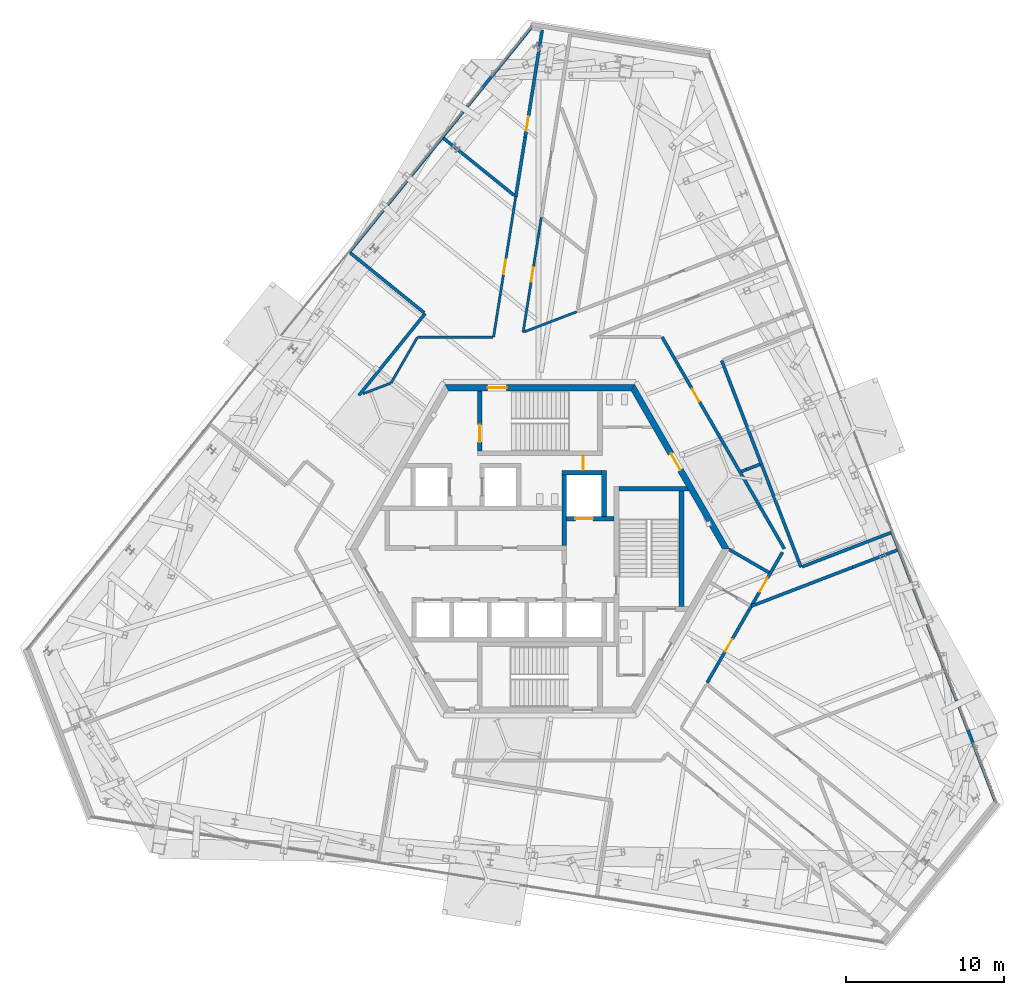
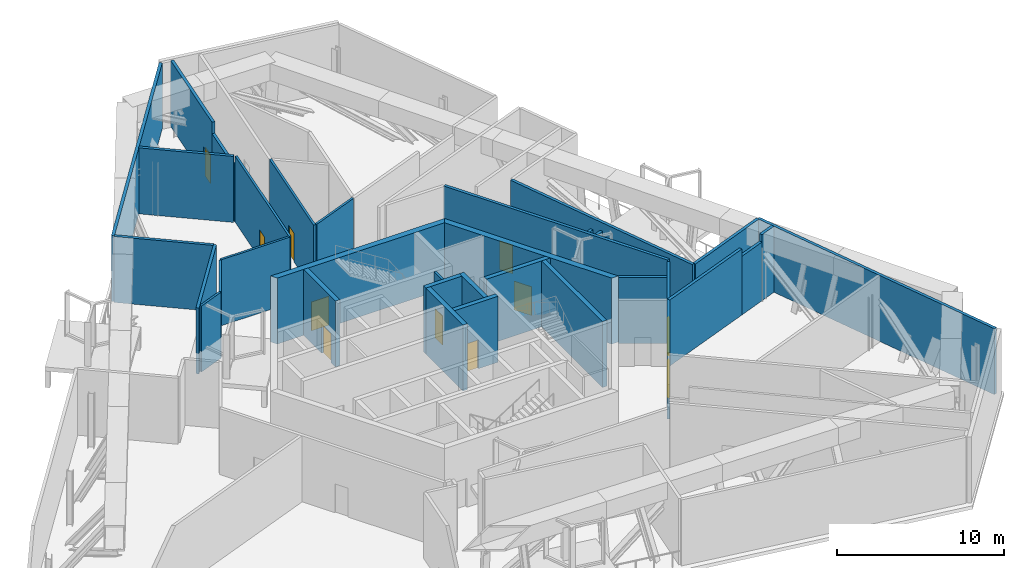
# One storey, part 10 of 14: 33 walls, 11 doors, 11 openings.
"""IFC4 building model written with IfcOpenShell, lengths in metres."""

from ifc_helpers import new_model, si_unit, direction, frame, frame_2d, origin, place, context, subcontext, project, spatial, polyline, rectangle, outline, extrude, source, transform, mapped, material, layer, layer_set, type_object, element, fill, save


model = new_model("IFC4")

# Units and contexts
model_context = context("Model", 3, precision=1e-05, world=origin(), true_north=direction((0.0, 1.0)))
body_context = subcontext(model_context, "Body", "Model", "MODEL_VIEW")
ifc_project = project(units=[si_unit("LENGTHUNIT", "METRE"), si_unit("AREAUNIT", "SQUARE_METRE"), si_unit("VOLUMEUNIT", "CUBIC_METRE"), si_unit("PLANEANGLEUNIT", "RADIAN"), si_unit("MASSUNIT", "GRAM", prefix="KILO")], contexts=[model_context])

# Site, building, storey
site_placement = place(None, origin())
site = spatial("IfcSite", under=ifc_project, at=site_placement, CompositionType="ELEMENT")
building_placement = place(site_placement, origin())
building = spatial("IfcBuilding", under=site, at=building_placement, Name="Triune Harvest Tower", CompositionType="ELEMENT")
storey_placement = place(building_placement, frame((0.0, 0.0, 174.925048828125)))
storey = spatial("IfcBuildingStorey", under=building, at=storey_placement, Name="L45", CompositionType="ELEMENT", Elevation=174.925048828125)

# Wall, opening, door
ifc_material_1 = material(Name="Concrete masonry unit", Category="masonry")
ifc_layer_1 = layer(ifc_material_1, 0.14990234375)
ifc_layer_set_1 = layer_set([ifc_layer_1], Name="Concrete masonry unit")
wall_type_1 = type_object("IfcWallType", Name="Block partition 150 unrated", PredefinedType="PARTITIONING", material=ifc_layer_set_1)
wall_1_placement = place(storey_placement, frame((2.75, 4.9599609375, 0.0), z_axis=(0.0, 0.0, 1.0), x_axis=(0.0, 1.0, 0.0)))
wall_1 = element("IfcWall", 1, at=wall_1_placement, inside=storey, type_object=wall_type_1, Name="Wc men east b wall", PredefinedType="PARTITIONING", context=body_context, shape_type="SweptSolid", body=[
    extrude(rectangle(XDim=0.929931640625, YDim=0.14990234375, at=frame_2d((0.46484375, 0.0))), origin(), (0.0, 0.0, 1.0), 4.81494140625),
])
opening_1_placement = place(wall_1_placement, frame((0.014892578125, 0.0, 0.0)))
opening_1 = element("IfcOpeningElement", 2, at=opening_1_placement, cuts=wall_1, Name="Opening CD-WM", PredefinedType="OPENING", context=body_context, shape_type="SweptSolid", body=[
    extrude(rectangle(XDim=0.89990234375, YDim=2.10009765625, at=frame_2d((0.449951171875, 1.050048828125))), frame((0.0, 0.0849609375, 0.0), z_axis=(0.0, -1.0, 0.0), x_axis=(1.0, 0.0, 0.0)), (0.0, 0.0, 1.0), 0.169921875),
])
ifc_material_2 = material(Name="Timber C24", Category="wood")
door_type_1 = type_object("IfcDoorType", Name="WC door 900", OperationType="SINGLE_SWING_LEFT", PredefinedType="DOOR", material=ifc_material_2)
door_1_placement = place(opening_1_placement, origin())
door_1 = element("IfcDoor", 3, at=door_1_placement, inside=storey, type_object=door_type_1, Name="Door CD-WM", OperationType="SINGLE_SWING_LEFT", OverallHeight=2.10009765625, OverallWidth=0.89990234375, PredefinedType="DOOR", context=body_context, shape_type="SweptSolid", body=[
    extrude(rectangle(XDim=0.89990234375, YDim=2.10009765625, at=frame_2d((0.449951171875, 1.050048828125))), frame((0.0, 0.02490234375, 0.0), z_axis=(0.0, -1.0, 0.0), x_axis=(1.0, 0.0, 0.0)), (0.0, 0.0, 1.0), 0.050048828125),
])
fill(opening_1, door_1)

# Walls
ifc_material_3 = material(Name="Concrete 70 MPa", Category="concrete")
ifc_layer_2 = layer(ifc_material_3, 0.300048828125)
ifc_layer_set_2 = layer_set([ifc_layer_2], Name="Concrete 70 MPa")
wall_type_2 = type_object("IfcWallType", Name="Core wall 300", PredefinedType="SHEAR", material=ifc_layer_set_2)
wall_2_placement = place(storey_placement, frame((1.550048828125, 0.2099609375, 0.0), z_axis=(0.0, 0.0, 1.0), x_axis=(0.0, 1.0, 0.0)))
element("IfcWall", 4, at=wall_2_placement, inside=storey, type_object=wall_type_2, Name="Ff1 west wall", PredefinedType="SHEAR", context=body_context, shape_type="SweptSolid", body=[
    extrude(rectangle(XDim=4.449951171875, YDim=0.300048828125, at=frame_2d((2.22509765625, 0.0))), origin(), (0.0, 0.0, 1.0), 4.81494140625),
])
wall_3_placement = place(storey_placement, frame((4.050048828125, 2.06005859375, 0.0), z_axis=(0.0, 0.0, 1.0), x_axis=(0.0, 1.0, 0.0)))
element("IfcWall", 5, at=wall_3_placement, inside=storey, type_object=wall_type_2, Name="Ff1 east wall", PredefinedType="SHEAR", context=body_context, shape_type="SweptSolid", body=[
    extrude(rectangle(XDim=2.89990234375, YDim=0.300048828125, at=frame_2d((1.449951171875, 0.0))), origin(), (0.0, 0.0, 1.0), 4.81494140625),
])
wall_4_placement = place(storey_placement, frame((5.0, 3.800048828125, 0.0), z_axis=(0.0, 0.0, 1.0), x_axis=(1.0, 0.0, 0.0)))
element("IfcWall", 6, at=wall_4_placement, inside=storey, type_object=wall_type_2, Name="Stair e north wall", PredefinedType="SHEAR", context=body_context, shape_type="SweptSolid", body=[
    extrude(outline(polyline([(0.0, -0.14990234375), (0.0, 0.14990234375), (4.260009765625, 0.14990234375), (4.43310546875, -0.14990234375), (0.0, -0.14990234375)])), origin(), (0.0, 0.0, 1.0), 4.81494140625),
])
wall_5_placement = place(storey_placement, frame((8.949951171875, -3.64990234375, 0.0), z_axis=(0.0, 0.0, 1.0), x_axis=(0.0, 1.0, 0.0)))
element("IfcWall", 7, at=wall_5_placement, inside=storey, type_object=wall_type_2, Name="Stair e east wall", PredefinedType="SHEAR", context=body_context, shape_type="SweptSolid", body=[
    extrude(rectangle(XDim=7.2998046875, YDim=0.300048828125, at=frame_2d((3.64990234375, 0.0))), origin(), (0.0, 0.0, 1.0), 4.81494140625),
])
ifc_material_4 = material(Name="Gypsum board on steel studs", Category="steel")
ifc_layer_3 = layer(ifc_material_4, 0.14990234375)
ifc_layer_set_3 = layer_set([ifc_layer_3], Name="Gypsum board on steel studs")
wall_type_3 = type_object("IfcWallType", Name="Fire Partition 150 mm", PredefinedType="PARTITIONING", material=ifc_layer_set_3)
wall_6_placement = place(storey_placement, frame((-7.732177734375, 13.392333984375, 0.0), z_axis=(0.0, 0.0, 1.0), x_axis=(1.0, 0.0, 0.0)))
element("IfcWall", 8, at=wall_6_placement, inside=storey, type_object=wall_type_3, Name="Partition L45 029", PredefinedType="PARTITIONING", context=body_context, shape_type="SweptSolid", body=[
    extrude(rectangle(XDim=4.753662109375, YDim=0.14990234375, at=frame_2d((2.376953125, 0.0))), origin(), (0.0, 0.0, 1.0), 4.81494140625),
])
wall_7_placement = place(storey_placement, frame((-11.169921875, 9.811279296875, 0.0), z_axis=(0.0, 0.0, 1.0), x_axis=(0.933575989222, 0.358379508828, 0.0)))
element("IfcWall", 9, at=wall_7_placement, inside=storey, type_object=wall_type_3, Name="Partition L45 039", PredefinedType="PARTITIONING", context=body_context, shape_type="SweptSolid", body=[
    extrude(rectangle(XDim=1.855712890625, YDim=0.14990234375, at=frame_2d((0.927734375, 0.0))), origin(), (0.0, 0.0, 1.0), 4.81494140625),
])
wall_8_placement = place(storey_placement, frame((-0.95556640625, 13.732177734375, 0.0), z_axis=(0.0, 0.0, 1.0), x_axis=(0.933594790277, 0.358330528378, 0.0)))
element("IfcWall", 10, at=wall_8_placement, inside=storey, type_object=wall_type_3, Name="Partition L45 040", PredefinedType="PARTITIONING", context=body_context, shape_type="SweptSolid", body=[
    extrude(rectangle(XDim=3.5068359375, YDim=0.14990234375, at=frame_2d((1.75341796875, 0.0))), origin(), (0.0, 0.0, 1.0), 4.81494140625),
])
wall_9_placement = place(storey_placement, frame((-9.409423828125, 10.487060546875, 0.0), z_axis=(0.0, 0.0, 1.0), x_axis=(0.499984641034, 0.866034271106, 0.0)))
element("IfcWall", 11, at=wall_9_placement, inside=storey, type_object=wall_type_3, Name="Partition L45 052", PredefinedType="PARTITIONING", context=body_context, shape_type="SweptSolid", body=[
    extrude(rectangle(XDim=3.3046875, YDim=0.14990234375, at=frame_2d((1.65234375, 0.0))), origin(), (0.0, 0.0, 1.0), 4.81494140625),
])

# Wall, opening, door
wall_10_placement = place(storey_placement, frame((-1.05859375, 13.692626953125, 0.0), z_axis=(0.0, 0.0, 1.0), x_axis=(0.156419210718, 0.987690756522, 0.0)))
wall_10 = element("IfcWall", 12, at=wall_10_placement, inside=storey, type_object=wall_type_3, Name="Partition L45 056", PredefinedType="PARTITIONING", context=body_context, shape_type="SweptSolid", body=[
    extrude(rectangle(XDim=7.357666015625, YDim=0.14990234375, at=frame_2d((3.6787109375, 0.0))), origin(), (0.0, 0.0, 1.0), 4.81494140625),
])
opening_2_placement = place(wall_10_placement, frame((3.25, 0.0, 0.0)))
opening_2 = element("IfcOpeningElement", 13, at=opening_2_placement, cuts=wall_10, Name="Opening L45-010", PredefinedType="OPENING", context=body_context, shape_type="SweptSolid", body=[
    extrude(rectangle(XDim=0.89990234375, YDim=2.10009765625, at=frame_2d((0.449951171875, 1.050048828125))), frame((0.0, 0.0849609375, 0.0), z_axis=(0.0, -1.0, 0.0), x_axis=(1.0, 0.0, 0.0)), (0.0, 0.0, 1.0), 0.169921875),
])
ifc_material_5 = material(Name="Timber and steel door set", Category="steel")
door_type_2 = type_object("IfcDoorType", Name="Single leaf door FD30 left hand 900 x 2100", OperationType="SINGLE_SWING_LEFT", PredefinedType="DOOR", material=ifc_material_5)
door_2_placement = place(opening_2_placement, origin())
door_2 = element("IfcDoor", 14, at=door_2_placement, inside=storey, type_object=door_type_2, Name="Door L45-010 Dry Store Room 45.10", OperationType="SINGLE_SWING_LEFT", OverallHeight=2.10009765625, OverallWidth=0.89990234375, PredefinedType="DOOR", context=body_context, shape_type="SweptSolid", body=[
    extrude(rectangle(XDim=0.89990234375, YDim=2.10009765625, at=frame_2d((0.449951171875, 1.050048828125))), frame((0.0, 0.02490234375, 0.0), z_axis=(0.0, -1.0, 0.0), x_axis=(1.0, 0.0, 0.0)), (0.0, 0.0, 1.0), 0.050048828125),
])
fill(opening_2, door_2)

wall_11_placement = place(storey_placement, frame((-2.9287109375, 13.392333984375, 0.0), z_axis=(0.0, 0.0, 1.0), x_axis=(0.156436904881, 0.987687954159, 0.0)))
wall_11 = element("IfcWall", 15, at=wall_11_placement, inside=storey, type_object=wall_type_3, Name="Partition L45 059", PredefinedType="PARTITIONING", context=body_context, shape_type="SweptSolid", body=[
    extrude(rectangle(XDim=8.986083984375, YDim=0.14990234375, at=frame_2d((4.4931640625, 0.0))), origin(), (0.0, 0.0, 1.0), 4.81494140625),
])
opening_3_placement = place(wall_11_placement, frame((4.03955078125, 0.0, 0.0)))
opening_3 = element("IfcOpeningElement", 16, at=opening_3_placement, cuts=wall_11, Name="Opening L45-009", PredefinedType="OPENING", context=body_context, shape_type="SweptSolid", body=[
    extrude(rectangle(XDim=0.89990234375, YDim=2.10009765625, at=frame_2d((0.449951171875, 1.050048828125))), frame((0.0, 0.0849609375, 0.0), z_axis=(0.0, -1.0, 0.0), x_axis=(1.0, 0.0, 0.0)), (0.0, 0.0, 1.0), 0.169921875),
])
door_3_placement = place(opening_3_placement, origin())
door_3 = element("IfcDoor", 17, at=door_3_placement, inside=storey, type_object=door_type_2, Name="Door L45-009 Dry Store Room 45.09", OperationType="SINGLE_SWING_LEFT", OverallHeight=2.10009765625, OverallWidth=0.89990234375, PredefinedType="DOOR", context=body_context, shape_type="SweptSolid", body=[
    extrude(rectangle(XDim=0.89990234375, YDim=2.10009765625, at=frame_2d((0.449951171875, 1.050048828125))), frame((0.0, 0.02490234375, 0.0), z_axis=(0.0, -1.0, 0.0), x_axis=(1.0, 0.0, 0.0)), (0.0, 0.0, 1.0), 0.050048828125),
])
fill(opening_3, door_3)

# Wall
ifc_material_6 = material(Name="Gypsum board on steel studs", Category="steel")
ifc_layer_4 = layer(ifc_material_6, 0.199951171875)
ifc_layer_set_4 = layer_set([ifc_layer_4], Name="Gypsum board on steel studs")
wall_type_4 = type_object("IfcWallType", Name="Fire Wall 200 mm", PredefinedType="PARTITIONING", material=ifc_layer_set_4)
wall_12_placement = place(storey_placement, frame((11.4951171875, 11.91064453125, 0.0), z_axis=(0.0, 0.0, 1.0), x_axis=(0.358365500732, -0.933581366505, 0.0)))
element("IfcWall", 18, at=wall_12_placement, inside=storey, type_object=wall_type_4, Name="Partition L45 004", PredefinedType="PARTITIONING", context=body_context, shape_type="SweptSolid", body=[
    extrude(rectangle(XDim=14.0, YDim=0.199951171875, at=frame_2d((7.0, 0.0))), origin(), (0.0, 0.0, 1.0), 4.81494140625),
])

# Wall, opening, door
wall_13_placement = place(storey_placement, frame((7.73193359375, 13.392578125, 0.0), z_axis=(0.0, 0.0, 1.0), x_axis=(0.499998503761, -0.866026267637, 0.0)))
wall_13 = element("IfcWall", 19, at=wall_13_placement, inside=storey, type_object=wall_type_4, Name="Partition L45 009", PredefinedType="PARTITIONING", context=body_context, shape_type="SweptSolid", body=[
    extrude(rectangle(XDim=15.46435546875, YDim=0.199951171875, at=frame_2d((7.732177734375, 0.0))), origin(), (0.0, 0.0, 1.0), 4.81494140625),
])
opening_4_placement = place(wall_13_placement, frame((3.803466796875, 0.0, 0.0)))
opening_4 = element("IfcOpeningElement", 20, at=opening_4_placement, cuts=wall_13, Name="Opening L45-004", PredefinedType="OPENING", context=body_context, shape_type="SweptSolid", body=[
    extrude(rectangle(XDim=0.89990234375, YDim=2.10009765625, at=frame_2d((0.449951171875, 1.050048828125))), frame((0.0, 0.10986328125, 0.0), z_axis=(0.0, -1.0, 0.0), x_axis=(1.0, 0.0, 0.0)), (0.0, 0.0, 1.0), 0.219970703125),
])
ifc_material_7 = material(Name="Timber and steel door set", Category="steel")
door_type_3 = type_object("IfcDoorType", Name="Single leaf door FD60 left hand 900 x 2100", OperationType="SINGLE_SWING_LEFT", PredefinedType="DOOR", material=ifc_material_7)
door_4_placement = place(opening_4_placement, origin())
door_4 = element("IfcDoor", 21, at=door_4_placement, inside=storey, type_object=door_type_3, Name="Door L45-004 Pump Plant Room 45.04", OperationType="SINGLE_SWING_LEFT", OverallHeight=2.10009765625, OverallWidth=0.89990234375, PredefinedType="DOOR", context=body_context, shape_type="SweptSolid", body=[
    extrude(rectangle(XDim=0.89990234375, YDim=2.10009765625, at=frame_2d((0.449951171875, 1.050048828125))), frame((0.0, 0.02490234375, 0.0), z_axis=(0.0, -1.0, 0.0), x_axis=(1.0, 0.0, 0.0)), (0.0, 0.0, 1.0), 0.050048828125),
])
fill(opening_4, door_4)

# Walls
wall_14_placement = place(storey_placement, frame((-6.101318359375, 25.97900390625, 0.0), z_axis=(0.0, 0.0, 1.0), x_axis=(0.777150797405, -0.629314419104, 0.0)))
element("IfcWall", 22, at=wall_14_placement, inside=storey, type_object=wall_type_4, Name="Partition L45 017", PredefinedType="PARTITIONING", context=body_context, shape_type="SweptSolid", body=[
    extrude(rectangle(XDim=5.741943359375, YDim=0.199951171875, at=frame_2d((2.87109375, 0.0))), origin(), (0.0, 0.0, 1.0), 4.81494140625),
])
wall_15_placement = place(storey_placement, frame((13.3720703125, -3.62353515625, 0.0), z_axis=(0.0, 0.0, 1.0), x_axis=(0.933577722783, 0.358374992882, 0.0)))
element("IfcWall", 23, at=wall_15_placement, inside=storey, type_object=wall_type_4, Name="Partition L45 032", PredefinedType="PARTITIONING", context=body_context, shape_type="SweptSolid", body=[
    extrude(rectangle(XDim=6.8525390625, YDim=0.199951171875, at=frame_2d((3.42626953125, 0.0))), origin(), (0.0, 0.0, 1.0), 4.81494140625),
])
wall_16_placement = place(storey_placement, frame((19.76953125, -1.167724609375, 0.0), z_axis=(0.0, 0.0, 1.0), x_axis=(0.933579781642, 0.358369629446, 0.0)))
element("IfcWall", 24, at=wall_16_placement, inside=storey, type_object=wall_type_4, Name="Partition L45 032a", PredefinedType="PARTITIONING", context=body_context, shape_type="SweptSolid", body=[
    extrude(rectangle(XDim=1.90625, YDim=0.199951171875, at=frame_2d((0.953125, 0.0))), origin(), (0.0, 0.0, 1.0), 4.279052734375),
])
wall_17_placement = place(storey_placement, frame((21.549072265625, -0.484619140625, 0.0), z_axis=(0.0, 0.0, 1.0), x_axis=(0.933570446749, 0.358393946596, 0.0)))
element("IfcWall", 25, at=wall_17_placement, inside=storey, type_object=wall_type_4, Name="Partition L45 032b", PredefinedType="PARTITIONING", context=body_context, shape_type="SweptSolid", body=[
    extrude(rectangle(XDim=1.146484375, YDim=0.199951171875, at=frame_2d((0.5732421875, 0.0))), origin(), (0.0, 0.0, 1.0), 4.81494140625),
])
wall_18_placement = place(storey_placement, frame((12.751953125, 4.89501953125, 0.0), z_axis=(0.0, 0.0, 1.0), x_axis=(0.933622332527, 0.358258761522, 0.0)))
element("IfcWall", 26, at=wall_18_placement, inside=storey, type_object=wall_type_4, Name="Partition L45 035", PredefinedType="PARTITIONING", context=body_context, shape_type="SweptSolid", body=[
    extrude(rectangle(XDim=0.3408203125, YDim=0.199951171875, at=frame_2d((0.17041015625, 0.0))), origin(), (0.0, 0.0, 1.0), 4.81494140625),
])
wall_19_placement = place(storey_placement, frame((13.070068359375, 5.01708984375, 0.0), z_axis=(0.0, 0.0, 1.0), x_axis=(0.933618926306, 0.358267638008, 0.0)))
element("IfcWall", 27, at=wall_19_placement, inside=storey, type_object=wall_type_4, Name="Partition L45 035a", PredefinedType="PARTITIONING", context=body_context, shape_type="SweptSolid", body=[
    extrude(rectangle(XDim=0.919921875, YDim=0.199951171875, at=frame_2d((0.4599609375, 0.0))), origin(), (0.0, 0.0, 1.0), 4.20263671875),
])
wall_20_placement = place(storey_placement, frame((-11.444091796875, 9.702880859375, 0.0), z_axis=(0.0, 0.0, 1.0), x_axis=(0.629309978288, 0.77715439343, 0.0)))
element("IfcWall", 28, at=wall_20_placement, inside=storey, type_object=wall_type_4, Name="Partition L45 045", PredefinedType="PARTITIONING", context=body_context, shape_type="SweptSolid", body=[
    extrude(rectangle(XDim=6.661376953125, YDim=0.199951171875, at=frame_2d((3.33056640625, 0.0))), origin(), (0.0, 0.0, 1.0), 4.81494140625),
])

# Wall, openings, doors
wall_21_placement = place(storey_placement, frame((10.576171875, -8.466064453125, 0.0), z_axis=(0.0, 0.0, 1.0), x_axis=(0.499973135781, 0.866040913293, 0.0)))
wall_21 = element("IfcWall", 29, at=wall_21_placement, inside=storey, type_object=wall_type_4, Name="Partition L45 050", PredefinedType="PARTITIONING", context=body_context, shape_type="SweptSolid", body=[
    extrude(rectangle(XDim=9.5263671875, YDim=0.199951171875, at=frame_2d((4.76318359375, 0.0))), origin(), (0.0, 0.0, 1.0), 4.81494140625),
])
opening_5_placement = place(wall_21_placement, frame((2.272705078125, 0.0, 0.0)))
opening_5 = element("IfcOpeningElement", 30, at=opening_5_placement, cuts=wall_21, Name="Opening L45-002", PredefinedType="OPENING", context=body_context, shape_type="SweptSolid", body=[
    extrude(rectangle(XDim=0.89990234375, YDim=2.10009765625, at=frame_2d((0.449951171875, 1.050048828125))), frame((0.0, 0.10986328125, 0.0), z_axis=(0.0, -1.0, 0.0), x_axis=(1.0, 0.0, 0.0)), (0.0, 0.0, 1.0), 0.219970703125),
])
opening_6_placement = place(wall_21_placement, frame((6.6416015625, 0.0, 0.0)))
opening_6 = element("IfcOpeningElement", 31, at=opening_6_placement, cuts=wall_21, Name="Opening L45-003", PredefinedType="OPENING", context=body_context, shape_type="SweptSolid", body=[
    extrude(rectangle(XDim=1.0, YDim=2.10009765625, at=frame_2d((0.5, 1.050048828125))), frame((0.0, 0.10986328125, 0.0), z_axis=(0.0, -1.0, 0.0), x_axis=(1.0, 0.0, 0.0)), (0.0, 0.0, 1.0), 0.219970703125),
])
ifc_material_8 = material(Name="Timber and steel door set", Category="steel")
door_type_4 = type_object("IfcDoorType", Name="Single leaf door FD60 right hand 900 x 2100", OperationType="SINGLE_SWING_RIGHT", PredefinedType="DOOR", material=ifc_material_8)
door_5_placement = place(opening_5_placement, origin())
door_5 = element("IfcDoor", 32, at=door_5_placement, inside=storey, type_object=door_type_4, Name="Door L45-002 Stair Pressurisation Fan Room 45.02", OperationType="SINGLE_SWING_RIGHT", OverallHeight=2.10009765625, OverallWidth=0.89990234375, PredefinedType="DOOR", context=body_context, shape_type="SweptSolid", body=[
    extrude(rectangle(XDim=0.89990234375, YDim=2.10009765625, at=frame_2d((0.449951171875, 1.050048828125))), frame((0.0, 0.02490234375, 0.0), z_axis=(0.0, -1.0, 0.0), x_axis=(1.0, 0.0, 0.0)), (0.0, 0.0, 1.0), 0.050048828125),
])
fill(opening_5, door_5)
ifc_material_9 = material(Name="Timber and steel door set", Category="steel")
door_type_5 = type_object("IfcDoorType", Name="Wide single leaf door FD60 left hand 1000 x 2100", OperationType="SINGLE_SWING_LEFT", PredefinedType="DOOR", material=ifc_material_9)
door_6_placement = place(opening_6_placement, origin())
door_6 = element("IfcDoor", 33, at=door_6_placement, inside=storey, type_object=door_type_5, Name="Door L45-003 Refuge Area 45.03", OperationType="SINGLE_SWING_LEFT", OverallHeight=2.10009765625, OverallWidth=1.0, PredefinedType="DOOR", context=body_context, shape_type="SweptSolid", body=[
    extrude(rectangle(XDim=1.0, YDim=2.10009765625, at=frame_2d((0.5, 1.050048828125))), frame((0.0, 0.02490234375, 0.0), z_axis=(0.0, -1.0, 0.0), x_axis=(1.0, 0.0, 0.0)), (0.0, 0.0, 1.0), 0.050048828125),
])
fill(opening_6, door_6)

# Wall
wall_22_placement = place(storey_placement, frame((-1.52294921875, 22.267822265625, 0.0), z_axis=(0.0, 0.0, 1.0), x_axis=(0.156436070853, 0.987688086258, 0.0)))
element("IfcWall", 34, at=wall_22_placement, inside=storey, type_object=wall_type_4, Name="Partition L45 060", PredefinedType="PARTITIONING", context=body_context, shape_type="SweptSolid", body=[
    extrude(rectangle(XDim=3.7861328125, YDim=0.199951171875, at=frame_2d((1.89306640625, 0.0))), origin(), (0.0, 0.0, 1.0), 3.97412109375),
])

# Wall, opening, door
wall_23_placement = place(storey_placement, frame((-0.9306640625, 26.00732421875, 0.0), z_axis=(0.0, 0.0, 1.0), x_axis=(0.156426717697, 0.987689567623, 0.0)))
wall_23 = element("IfcWall", 35, at=wall_23_placement, inside=storey, type_object=wall_type_4, Name="Partition L45 060a", PredefinedType="PARTITIONING", context=body_context, shape_type="SweptSolid", body=[
    extrude(rectangle(XDim=6.887451171875, YDim=0.199951171875, at=frame_2d((3.44384765625, 0.0))), origin(), (0.0, 0.0, 1.0), 4.81494140625),
])
opening_7_placement = place(wall_23_placement, frame((0.463623046875, 0.0, 0.0)))
opening_7 = element("IfcOpeningElement", 36, at=opening_7_placement, cuts=wall_23, Name="Opening L45-007", PredefinedType="OPENING", context=body_context, shape_type="SweptSolid", body=[
    extrude(rectangle(XDim=0.89990234375, YDim=2.10009765625, at=frame_2d((0.449951171875, 1.050048828125))), frame((0.0, 0.10986328125, 0.0), z_axis=(0.0, -1.0, 0.0), x_axis=(1.0, 0.0, 0.0)), (0.0, 0.0, 1.0), 0.219970703125),
])
door_7_placement = place(opening_7_placement, origin())
door_7 = element("IfcDoor", 37, at=door_7_placement, inside=storey, type_object=door_type_3, Name="Door L45-007 Switchgear Plant Room 45.07", OperationType="SINGLE_SWING_LEFT", OverallHeight=2.10009765625, OverallWidth=0.89990234375, PredefinedType="DOOR", context=body_context, shape_type="SweptSolid", body=[
    extrude(rectangle(XDim=0.89990234375, YDim=2.10009765625, at=frame_2d((0.449951171875, 1.050048828125))), frame((0.0, 0.02490234375, 0.0), z_axis=(0.0, -1.0, 0.0), x_axis=(1.0, 0.0, 0.0)), (0.0, 0.0, 1.0), 0.050048828125),
])
fill(opening_7, door_7)

ifc_material_10 = material(Name="Concrete 70 MPa", Category="concrete")
ifc_layer_5 = layer(ifc_material_10, 0.39990234375)
ifc_layer_set_5 = layer_set([ifc_layer_5], Name="Concrete 70 MPa")
wall_type_5 = type_object("IfcWallType", Name="Core wall 400", PredefinedType="SHEAR", material=ifc_layer_set_5)
shared_shape_1 = source(origin(), body_context, "Body", "SweptSolid", [
    extrude(outline(polyline([(-0.115478515625, -0.199951171875), (11.884521484375, -0.199951171875), (11.653564453125, 0.199951171875), (0.115478515625, 0.199951171875), (-0.115478515625, -0.199951171875)])), origin(), (0.0, 0.0, 1.0), 4.81494140625),
])
wall_24_placement = place(storey_placement, frame((11.76904296875, 0.0, 0.0), z_axis=(0.0, 0.0, 1.0), x_axis=(-0.499996592174, 0.866027371285, 0.0)))
wall_24 = element("IfcWall", 38, at=wall_24_placement, inside=storey, type_object=wall_type_5, Name="Hexagon 0 wall", PredefinedType="SHEAR", context=body_context, shape_type="MappedRepresentation", body=[
    mapped(shared_shape_1, transform((0.0, 0.0, 0.0), scale=1.0)),
])
opening_8_placement = place(wall_24_placement, frame((5.75048828125, 0.0, 0.0)))
opening_8 = element("IfcOpeningElement", 39, at=opening_8_placement, cuts=wall_24, Name="Opening CD-WCP", PredefinedType="OPENING", context=body_context, shape_type="SweptSolid", body=[
    extrude(rectangle(XDim=1.199951171875, YDim=2.10009765625, at=frame_2d((0.60009765625, 1.050048828125))), frame((0.0, 0.2099609375, 0.0), z_axis=(0.0, -1.0, 0.0), x_axis=(1.0, 0.0, 0.0)), (0.0, 0.0, 1.0), 0.419921875),
])
ifc_material_11 = material(Name="Steel S235", Category="steel")
door_type_6 = type_object("IfcDoorType", Name="Lobby door 1200 FD120", OperationType="SINGLE_SWING_LEFT", PredefinedType="DOOR", material=ifc_material_11)
door_8_placement = place(opening_8_placement, frame((1.199951171875, 0.0, 0.0), z_axis=(0.0, 0.0, 1.0), x_axis=(-1.0, 0.0, 0.0)))
door_8 = element("IfcDoor", 40, at=door_8_placement, inside=storey, type_object=door_type_6, Name="Door CD-WCP", OperationType="SINGLE_SWING_RIGHT", OverallHeight=2.10009765625, OverallWidth=1.199951171875, PredefinedType="DOOR", context=body_context, shape_type="SweptSolid", body=[
    extrude(rectangle(XDim=1.199951171875, YDim=2.10009765625, at=frame_2d((0.60009765625, 1.050048828125))), frame((0.0, 0.02490234375, 0.0), z_axis=(0.0, -1.0, 0.0), x_axis=(1.0, 0.0, 0.0)), (0.0, 0.0, 1.0), 0.050048828125),
])
fill(opening_8, door_8)

wall_25_placement = place(storey_placement, frame((5.884521484375, 10.1923828125, 0.0), z_axis=(0.0, 0.0, 1.0), x_axis=(-1.0, 0.0, 0.0)))
wall_25 = element("IfcWall", 41, at=wall_25_placement, inside=storey, type_object=wall_type_5, Name="Hexagon 1 wall", PredefinedType="SHEAR", context=body_context, shape_type="MappedRepresentation", body=[
    mapped(shared_shape_1, transform((0.0, 0.0, 0.0), scale=1.0)),
])
opening_9_placement = place(wall_25_placement, frame((7.984619140625, 0.0, 0.0)))
opening_9 = element("IfcOpeningElement", 42, at=opening_9_placement, cuts=wall_25, Name="Opening CD-S1P", PredefinedType="OPENING", context=body_context, shape_type="SweptSolid", body=[
    extrude(rectangle(XDim=1.199951171875, YDim=2.10009765625, at=frame_2d((0.60009765625, 1.050048828125))), frame((0.0, 0.2099609375, 0.0), z_axis=(0.0, -1.0, 0.0), x_axis=(1.0, 0.0, 0.0)), (0.0, 0.0, 1.0), 0.419921875),
])
ifc_material_12 = material(Name="Steel S235", Category="steel")
door_type_7 = type_object("IfcDoorType", Name="Stair door 1200 FD120", OperationType="SINGLE_SWING_LEFT", PredefinedType="DOOR", material=ifc_material_12)
door_9_placement = place(opening_9_placement, frame((1.199951171875, 0.0, 0.0), z_axis=(0.0, 0.0, 1.0), x_axis=(-1.0, 0.0, 0.0)))
door_9 = element("IfcDoor", 43, at=door_9_placement, inside=storey, type_object=door_type_7, Name="Door CD-S1P", OperationType="SINGLE_SWING_RIGHT", OverallHeight=2.10009765625, OverallWidth=1.199951171875, PredefinedType="DOOR", context=body_context, shape_type="SweptSolid", body=[
    extrude(rectangle(XDim=1.199951171875, YDim=2.10009765625, at=frame_2d((0.60009765625, 1.050048828125))), frame((0.0, 0.02490234375, 0.0), z_axis=(0.0, -1.0, 0.0), x_axis=(1.0, 0.0, 0.0)), (0.0, 0.0, 1.0), 0.050048828125),
])
fill(opening_9, door_9)

# Wall
shared_shape_2 = source(origin(), body_context, "Body", "SweptSolid", [
    extrude(rectangle(XDim=2.5, YDim=0.300048828125, at=frame_2d((1.25, 0.0))), origin(), (0.0, 0.0, 1.0), 4.81494140625),
])
wall_26_placement = place(storey_placement, frame((1.39990234375, 4.81005859375, 0.0), z_axis=(0.0, 0.0, 1.0), x_axis=(1.0, 0.0, 0.0)))
element("IfcWall", 44, at=wall_26_placement, inside=storey, type_object=wall_type_2, Name="Ff1 back wall", PredefinedType="SHEAR", context=body_context, shape_type="MappedRepresentation", body=[
    mapped(shared_shape_2, transform((0.0, 0.0, 0.0), scale=1.0)),
])

# Wall, opening, door
shared_shape_3 = source(origin(), body_context, "Body", "SweptSolid", [
    extrude(rectangle(XDim=3.0, YDim=0.300048828125, at=frame_2d((1.5, 0.0))), origin(), (0.0, 0.0, 1.0), 4.81494140625),
])
wall_27_placement = place(storey_placement, frame((1.699951171875, 1.909912109375, 0.0), z_axis=(0.0, 0.0, 1.0), x_axis=(1.0, 0.0, 0.0)))
wall_27 = element("IfcWall", 45, at=wall_27_placement, inside=storey, type_object=wall_type_2, Name="Ff1 front wall", PredefinedType="SHEAR", context=body_context, shape_type="MappedRepresentation", body=[
    mapped(shared_shape_3, transform((0.0, 0.0, 0.0), scale=1.0)),
])
opening_10_placement = place(wall_27_placement, frame((0.550048828125, 0.0, 0.0)))
opening_10 = element("IfcOpeningElement", 46, at=opening_10_placement, cuts=wall_27, Name="Opening LD-FF1-45", PredefinedType="OPENING", context=body_context, shape_type="SweptSolid", body=[
    extrude(rectangle(XDim=1.10009765625, YDim=2.10009765625, at=frame_2d((0.550048828125, 1.050048828125))), frame((0.0, 0.16015625, 0.0), z_axis=(0.0, -1.0, 0.0), x_axis=(1.0, 0.0, 0.0)), (0.0, 0.0, 1.0), 0.320068359375),
])
ifc_material_13 = material(Name="Stainless steel AISI 304", Category="steel")
door_type_8 = type_object("IfcDoorType", Name="Landing door 1100 x 2100", OperationType="DOUBLE_DOOR_SLIDING", PredefinedType="DOOR", material=ifc_material_13)
door_10_placement = place(opening_10_placement, origin())
door_10 = element("IfcDoor", 47, at=door_10_placement, inside=storey, type_object=door_type_8, Name="Door LD-FF1-45", OperationType="DOUBLE_DOOR_SLIDING", OverallHeight=2.10009765625, OverallWidth=1.10009765625, PredefinedType="DOOR", context=body_context, shape_type="SweptSolid", body=[
    extrude(rectangle(XDim=1.10009765625, YDim=2.10009765625, at=frame_2d((0.550048828125, 1.050048828125))), frame((0.0, 0.02490234375, 0.0), z_axis=(0.0, -1.0, 0.0), x_axis=(1.0, 0.0, 0.0)), (0.0, 0.0, 1.0), 0.050048828125),
])
fill(opening_10, door_10)

shared_shape_4 = source(origin(), body_context, "Body", "SweptSolid", [
    extrude(outline(polyline([(0.0, -0.14990234375), (0.0, 0.14990234375), (3.80419921875, 0.14990234375), (3.80419921875, -0.14990234375), (0.0, -0.14990234375)])), origin(), (0.0, 0.0, 1.0), 4.81494140625),
])
wall_28_placement = place(storey_placement, frame((-3.800048828125, 6.18994140625, 0.0), z_axis=(0.0, 0.0, 1.0), x_axis=(0.0, 1.0, 0.0)))
wall_28 = element("IfcWall", 48, at=wall_28_placement, inside=storey, type_object=wall_type_2, Name="Stair n west wall", PredefinedType="SHEAR", context=body_context, shape_type="MappedRepresentation", body=[
    mapped(shared_shape_4, transform((0.0, 0.0, 0.0), scale=1.0)),
])
opening_11_placement = place(wall_28_placement, frame((0.56005859375, 0.0, 0.0)))
opening_11 = element("IfcOpeningElement", 49, at=opening_11_placement, cuts=wall_28, Name="Opening CD-S1L", PredefinedType="OPENING", context=body_context, shape_type="SweptSolid", body=[
    extrude(rectangle(XDim=1.10009765625, YDim=2.10009765625, at=frame_2d((0.550048828125, 1.050048828125))), frame((0.0, 0.16015625, 0.0), z_axis=(0.0, -1.0, 0.0), x_axis=(1.0, 0.0, 0.0)), (0.0, 0.0, 1.0), 0.320068359375),
])
ifc_material_14 = material(Name="Steel S235", Category="steel")
door_type_9 = type_object("IfcDoorType", Name="Stair door 1100 FD120", OperationType="SINGLE_SWING_LEFT", PredefinedType="DOOR", material=ifc_material_14)
door_11_placement = place(opening_11_placement, frame((1.10009765625, 0.0, 0.0), z_axis=(0.0, 0.0, 1.0), x_axis=(-1.0, 0.0, 0.0)))
door_11 = element("IfcDoor", 50, at=door_11_placement, inside=storey, type_object=door_type_9, Name="Door CD-S1L", OperationType="SINGLE_SWING_RIGHT", OverallHeight=2.10009765625, OverallWidth=1.10009765625, PredefinedType="DOOR", context=body_context, shape_type="SweptSolid", body=[
    extrude(rectangle(XDim=1.10009765625, YDim=2.10009765625, at=frame_2d((0.550048828125, 1.050048828125))), frame((0.0, 0.02490234375, 0.0), z_axis=(0.0, -1.0, 0.0), x_axis=(1.0, 0.0, 0.0)), (0.0, 0.0, 1.0), 0.050048828125),
])
fill(opening_11, door_11)

# Walls
shared_shape_5 = source(origin(), body_context, "Body", "SweptSolid", [
    extrude(rectangle(XDim=18.222900390625, YDim=0.199951171875, at=frame_2d((9.111328125, 0.0))), origin(), (0.0, 0.0, 1.0), 4.81494140625),
])
for number, where, z_axis, x_axis, name in (
    (51, (22.273193359375, 1.0517578125, 0.0), (0.0, 0.0, 1.0), (0.358370313495, -0.933579519058, 0.0), "Partition L45 007"),
    (52, (-12.04736328125, 18.76318359375, 0.0), (0.0, 0.0, 1.0), (0.629319238713, 0.7771468946, 0.0), "Partition L45 047"),
):
    element("IfcWall", number, at=place(storey_placement, frame(where, z_axis=z_axis, x_axis=x_axis)), inside=storey, type_object=wall_type_4, Name=name, PredefinedType="PARTITIONING", context=body_context, shape_type="MappedRepresentation", body=[
        mapped(shared_shape_5, transform((0.0, 0.0, 0.0), scale=1.0)),
    ])
shared_shape_6 = source(origin(), body_context, "Body", "SweptSolid", [
    extrude(rectangle(XDim=6.013671875, YDim=0.199951171875, at=frame_2d((3.0068359375, 0.0))), origin(), (0.0, 0.0, 1.0), 4.81494140625),
])
for number, where, z_axis, x_axis, name in (
    (53, (-11.987548828125, 18.71484375, 0.0), (0.0, 0.0, 1.0), (0.777123841402, -0.629347706061, 0.0), "Partition L45 016"),
    (54, (16.5869140625, -1.130859375, 0.0), (0.0, 0.0, 1.0), (0.933585008502, 0.358356012787, 0.0), "Partition L45 033"),
):
    element("IfcWall", number, at=place(storey_placement, frame(where, z_axis=z_axis, x_axis=x_axis)), inside=storey, type_object=wall_type_4, Name=name, PredefinedType="PARTITIONING", context=body_context, shape_type="MappedRepresentation", body=[
        mapped(shared_shape_6, transform((0.0, 0.0, 0.0), scale=1.0)),
    ])
shared_shape_7 = source(origin(), body_context, "Body", "SweptSolid", [
    extrude(rectangle(XDim=2.919921875, YDim=0.199951171875, at=frame_2d((1.4599609375, 0.0))), origin(), (0.0, 0.0, 1.0), 4.81494140625),
])
wall_29_placement = place(storey_placement, frame((11.973876953125, -0.045166015625, 0.0), z_axis=(0.0, 0.0, 1.0), x_axis=(0.866032430508, -0.49998782916, 0.0)))
element("IfcWall", 55, at=wall_29_placement, inside=storey, type_object=wall_type_4, Name="Partition L45 020", PredefinedType="PARTITIONING", context=body_context, shape_type="MappedRepresentation", body=[
    mapped(shared_shape_7, transform((0.0, 0.0, 0.0), scale=1.0)),
])

save(model, "model.ifc")
